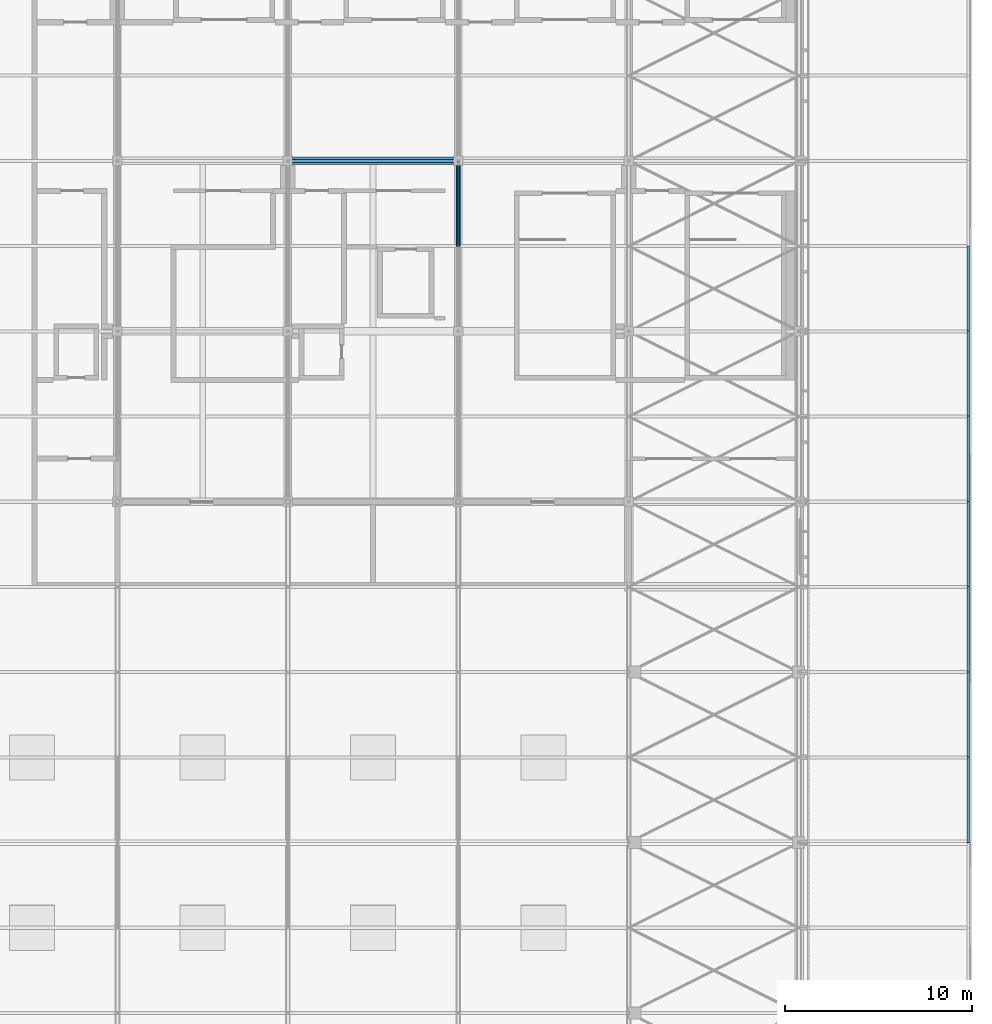
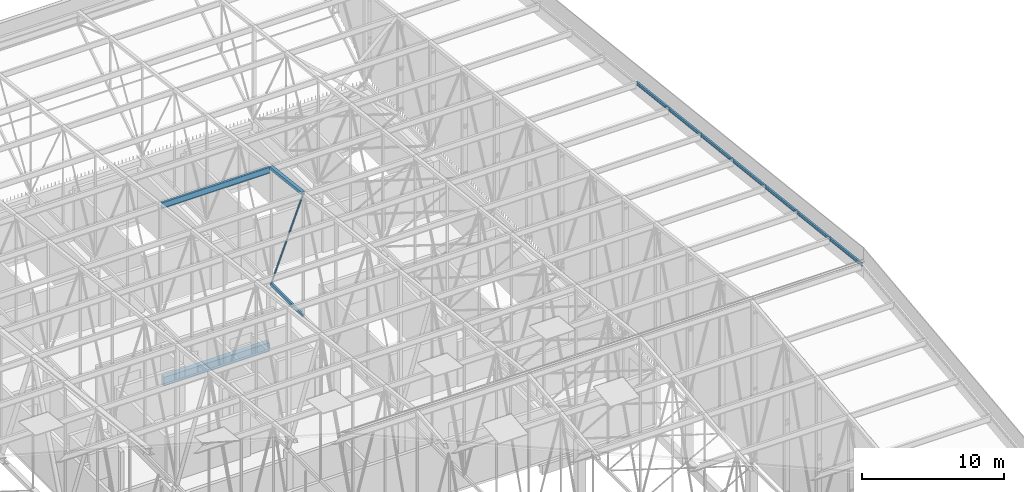
# One storey, part 392 of 500: 11 members, 1 beam.
"""IFC4 building model written with IfcOpenShell, lengths in metres."""

from ifc_helpers import new_model, si_unit, direction, frame, origin, origin_2d, place, context, subcontext, project, spatial, rectangle, hollow_rectangle, hollow_circle, i_section, extrude, material, material_profile, profile_set, type_object, element, save


model = new_model("IFC4")

# Units and contexts
model_context = context("Model", 3, precision=1e-05, world=origin(), true_north=direction((0.0, 1.0)))
body_context = subcontext(model_context, "Body", "Model", "MODEL_VIEW")
ifc_project = project(units=[si_unit("LENGTHUNIT", "METRE"), si_unit("AREAUNIT", "SQUARE_METRE"), si_unit("VOLUMEUNIT", "CUBIC_METRE"), si_unit("PLANEANGLEUNIT", "RADIAN"), si_unit("MASSUNIT", "GRAM", prefix="KILO")], contexts=[model_context])

# Site, building, storey
site_placement = place(None, origin())
site = spatial("IfcSite", under=ifc_project, at=site_placement, CompositionType="ELEMENT")
building_placement = place(site_placement, origin())
building = spatial("IfcBuilding", under=site, at=building_placement, Name="Shirokan Park Arena", CompositionType="ELEMENT")
storey_placement = place(building_placement, frame((0.0, 0.0, 29.1201171875)))
storey = spatial("IfcBuildingStorey", under=building, at=storey_placement, Name="L06", CompositionType="ELEMENT", Elevation=29.1201171875)

# Members
ifc_material_1 = material(Name="Steel ASTM A500 Grade C", Category="steel")
ifc_material_profile_1 = material_profile(ifc_material_1, hollow_rectangle(XDim=0.152099609375, YDim=0.25390625, WallThickness=0.009521484375, at=origin_2d()), Name="HSS254X152.4X9.5")
ifc_profile_set_1 = profile_set([ifc_material_profile_1], Name="Steel ASTM A500 Grade C")
member_type_1 = type_object("IfcMemberType", Name="Bottom chord HSS254X152.4X9.5", PredefinedType="CHORD", material=ifc_profile_set_1)
member_1_placement = place(storey_placement, frame((127.39990234375, 86.449951171875, 4.677001953125), z_axis=(0.0, 1.0, 0.0), x_axis=(-1.0, 0.0, 0.0)))
element("IfcMember", 1, at=member_1_placement, inside=storey, type_object=member_type_1, Name="Truss T15 bottom chord 22", PredefinedType="CHORD", context=body_context, shape_type="SweptSolid", body=[
    extrude(hollow_rectangle(XDim=0.152099609375, YDim=0.25390625, WallThickness=0.009521484375, at=origin_2d()), origin(), (0.0, 0.0, 1.0), 4.550048828125),
])
ifc_material_2 = material(Name="Steel ASTM A992", Category="steel")
ifc_material_profile_2 = material_profile(ifc_material_2, i_section(OverallWidth=0.166015625, OverallDepth=0.528076171875, WebThickness=0.009765625, FlangeThickness=0.013671875, at=origin_2d()), Name="W530X74")
ifc_profile_set_2 = profile_set([ifc_material_profile_2], Name="Steel ASTM A992")
member_type_2 = type_object("IfcMemberType", Name="Purlin W530X74", PredefinedType="PURLIN", material=ifc_profile_set_2)
member_2_placement = place(storey_placement, frame((118.427001953125, 91.0, 14.56591796875), z_axis=(1.0, 0.0, 0.0), x_axis=(0.0, 1.0, 0.0)))
element("IfcMember", 2, at=member_2_placement, inside=storey, type_object=member_type_2, Name="Purlin 23 bay 14", PredefinedType="PURLIN", context=body_context, shape_type="SweptSolid", body=[
    extrude(i_section(OverallWidth=0.166015625, OverallDepth=0.528076171875, WebThickness=0.009765625, FlangeThickness=0.013671875, at=origin_2d()), origin(), (0.0, 0.0, 1.0), 8.845947265625),
])

# Beam
ifc_material_3 = material(Name="Concrete C35", Category="concrete")
ifc_material_profile_3 = material_profile(ifc_material_3, rectangle(XDim=0.39990234375, YDim=0.75, at=origin_2d()), Name="400x750")
ifc_profile_set_3 = profile_set([ifc_material_profile_3], Name="Concrete C35")
beam_type = type_object("IfcBeamType", Name="RC girder 400x750", PredefinedType="BEAM", material=ifc_profile_set_3)
beam_placement = place(storey_placement, frame((118.550048828125, 91.0, -0.5751953125), z_axis=(1.0, 0.0, 0.0), x_axis=(0.0, 1.0, 0.0)))
element("IfcBeam", 3, at=beam_placement, inside=storey, type_object=beam_type, Name="Girder 14L-15L L06", PredefinedType="BEAM", context=body_context, shape_type="SweptSolid", body=[
    extrude(rectangle(XDim=0.39990234375, YDim=0.75, at=origin_2d()), origin(), (0.0, 0.0, 1.0), 8.599853515625),
])

# Members
ifc_material_profile_4 = material_profile(ifc_material_2, i_section(OverallWidth=0.14794921875, OverallDepth=0.26708984375, WebThickness=0.007568359375, FlangeThickness=0.012939453125, at=origin_2d()), Name="W250X44.8")
ifc_profile_set_4 = profile_set([ifc_material_profile_4], Name="Steel ASTM A992")
member_type_3 = type_object("IfcMemberType", Name="Roof edge beam W250X44.8", PredefinedType="USERDEFINED", material=ifc_profile_set_4)
member_3_placement = place(storey_placement, frame((154.6259765625, 54.60009765625, 18.8564453125), z_axis=(0.0, 0.993531641592, -0.11355561261), x_axis=(-1.0, 0.0, 0.0)))
element("IfcMember", 4, at=member_3_placement, inside=storey, type_object=member_type_3, Name="Roof edge beam E 15", ObjectType="ROOF EDGE BEAM", PredefinedType="USERDEFINED", context=body_context, shape_type="SweptSolid", body=[
    extrude(i_section(OverallWidth=0.14794921875, OverallDepth=0.26708984375, WebThickness=0.007568359375, FlangeThickness=0.012939453125, at=origin_2d()), origin(), (0.0, 0.0, 1.0), 4.579345703125),
])
for number, where, z_axis, x_axis, name in (
    (5, (154.6259765625, 59.14990234375, 18.33642578125), (0.0, 0.993532328996, -0.113549598152), (-1.0, 0.0, 0.0), "Roof edge beam E 16"),
    (6, (154.6259765625, 63.699951171875, 17.81640625), (0.0, 0.993532328996, -0.113549598152), (-1.0, 0.0, 0.0), "Roof edge beam E 17"),
    (7, (154.6259765625, 68.25, 17.29638671875), (0.0, 0.993532328996, -0.113549598152), (-1.0, 0.0, 0.0), "Roof edge beam E 18"),
    (8, (154.6259765625, 72.800048828125, 16.7763671875), (0.0, 0.993532328996, -0.113549598152), (-1.0, 0.0, 0.0), "Roof edge beam E 19"),
):
    element("IfcMember", number, at=place(storey_placement, frame(where, z_axis=z_axis, x_axis=x_axis)), inside=storey, type_object=member_type_3, Name=name, ObjectType="ROOF EDGE BEAM", PredefinedType="USERDEFINED", context=body_context, shape_type="SweptSolid", body=[
        extrude(i_section(OverallWidth=0.14794921875, OverallDepth=0.26708984375, WebThickness=0.007568359375, FlangeThickness=0.012939453125, at=origin_2d()), origin(), (0.0, 0.0, 1.0), 4.57958984375),
    ])
member_4_placement = place(storey_placement, frame((154.6259765625, 77.35009765625, 16.25634765625), z_axis=(0.0, 0.993531641592, -0.11355561261), x_axis=(-1.0, 0.0, 0.0)))
element("IfcMember", 9, at=member_4_placement, inside=storey, type_object=member_type_3, Name="Roof edge beam E 20", ObjectType="ROOF EDGE BEAM", PredefinedType="USERDEFINED", context=body_context, shape_type="SweptSolid", body=[
    extrude(i_section(OverallWidth=0.14794921875, OverallDepth=0.26708984375, WebThickness=0.007568359375, FlangeThickness=0.012939453125, at=origin_2d()), origin(), (0.0, 0.0, 1.0), 4.579345703125),
])
member_5_placement = place(storey_placement, frame((154.6259765625, 81.89990234375, 15.736328125), z_axis=(0.0, 0.993532328996, -0.113549598152), x_axis=(-1.0, 0.0, 0.0)))
element("IfcMember", 10, at=member_5_placement, inside=storey, type_object=member_type_3, Name="Roof edge beam E 21", ObjectType="ROOF EDGE BEAM", PredefinedType="USERDEFINED", context=body_context, shape_type="SweptSolid", body=[
    extrude(i_section(OverallWidth=0.14794921875, OverallDepth=0.26708984375, WebThickness=0.007568359375, FlangeThickness=0.012939453125, at=origin_2d()), origin(), (0.0, 0.0, 1.0), 4.57958984375),
])
ifc_material_profile_5 = material_profile(ifc_material_1, hollow_rectangle(XDim=0.25390625, YDim=0.25390625, WallThickness=0.009521484375, at=origin_2d()), Name="HSS254X254X9.5")
ifc_profile_set_5 = profile_set([ifc_material_profile_5], Name="Steel ASTM A500 Grade C")
member_type_4 = type_object("IfcMemberType", Name="Top chord HSS254X254X9.5", PredefinedType="CHORD", material=ifc_profile_set_5)
member_6_placement = place(storey_placement, frame((127.39990234375, 86.449951171875, 15.222900390625), z_axis=(0.0, 0.993532328996, -0.113549598152), x_axis=(-1.0, 0.0, 0.0)))
element("IfcMember", 11, at=member_6_placement, inside=storey, type_object=member_type_4, Name="Truss T15 top chord 22", PredefinedType="CHORD", context=body_context, shape_type="SweptSolid", body=[
    extrude(hollow_rectangle(XDim=0.25390625, YDim=0.25390625, WallThickness=0.009521484375, at=origin_2d()), origin(), (0.0, 0.0, 1.0), 4.57958984375),
])
ifc_material_profile_6 = material_profile(ifc_material_1, hollow_circle(Radius=0.070556640625, WallThickness=0.006591796875, at=origin_2d()), Name="HSS141.3X6.6")
ifc_profile_set_6 = profile_set([ifc_material_profile_6], Name="Steel ASTM A500 Grade C")
member_type_5 = type_object("IfcMemberType", Name="Truss diagonal HSS141.3X6.6", PredefinedType="BRACE", material=ifc_profile_set_6)
member_7_placement = place(storey_placement, frame((127.39990234375, 86.449951171875, 15.222900390625), z_axis=(0.0, 0.396152605513, -0.918184683572), x_axis=(-1.0, 0.0, 0.0)))
element("IfcMember", 12, at=member_7_placement, inside=storey, type_object=member_type_5, Name="Truss T15 diagonal 22", PredefinedType="BRACE", context=body_context, shape_type="SweptSolid", body=[
    extrude(hollow_circle(Radius=0.070556640625, WallThickness=0.006591796875, at=origin_2d()), origin(), (0.0, 0.0, 1.0), 11.485595703125),
])

save(model, "model.ifc")
